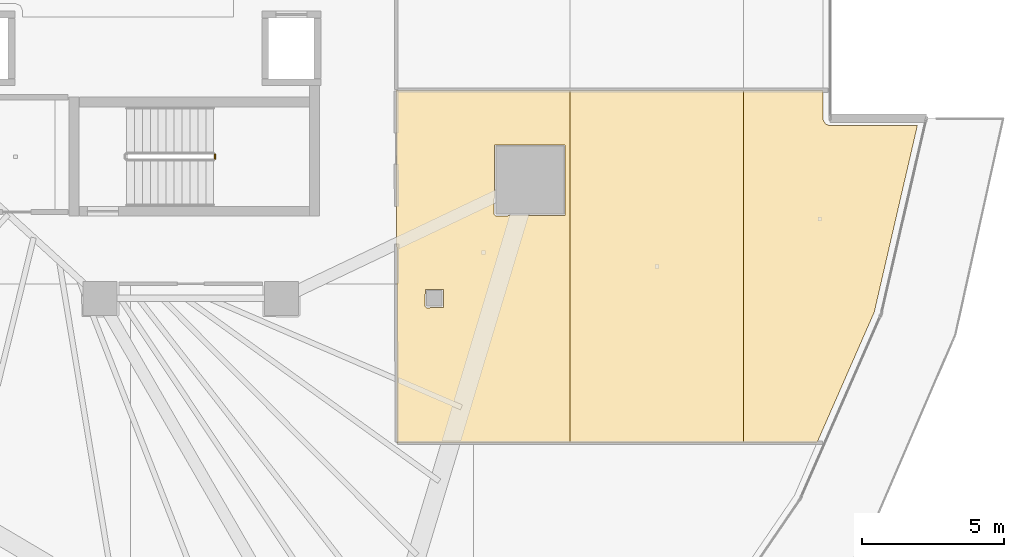
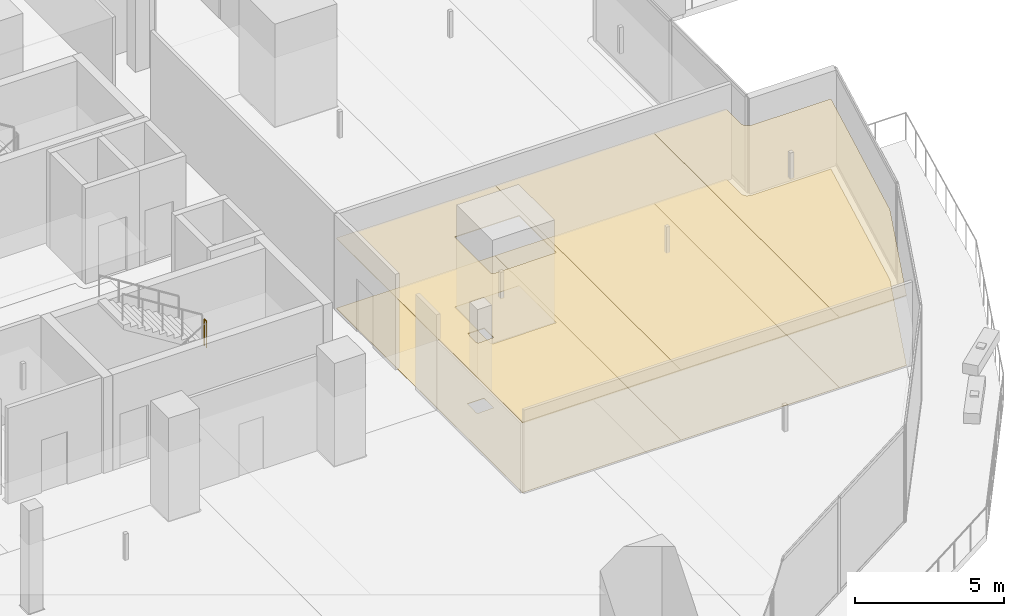
# One storey, part 42 of 45: 6 coverings, 1 railing.
"""IFC4 building model written with IfcOpenShell, lengths in metres."""

from ifc_helpers import new_model, si_unit, direction, frame, origin, origin_2d, place, context, subcontext, project, spatial, polyline, circle, outline, extrude, material, layer, layer_set, type_object, element, save


model = new_model("IFC4")

# Units and contexts
model_context = context("Model", 3, precision=1e-05, world=origin(), true_north=direction((0.0, 1.0)))
body_context = subcontext(model_context, "Body", "Model", "MODEL_VIEW")
ifc_project = project(units=[si_unit("LENGTHUNIT", "METRE"), si_unit("AREAUNIT", "SQUARE_METRE"), si_unit("VOLUMEUNIT", "CUBIC_METRE"), si_unit("PLANEANGLEUNIT", "RADIAN"), si_unit("MASSUNIT", "GRAM", prefix="KILO")], contexts=[model_context])

# Site, building, storey
site_placement = place(None, origin())
site = spatial("IfcSite", under=ifc_project, at=site_placement, CompositionType="ELEMENT")
building_placement = place(site_placement, origin())
building = spatial("IfcBuilding", under=site, at=building_placement, Name="Qorvath Tower", CompositionType="ELEMENT")
storey_placement = place(building_placement, frame((0.0, 0.0, 95.39990234375)))
storey = spatial("IfcBuildingStorey", under=building, at=storey_placement, Name="L21", CompositionType="ELEMENT", Elevation=95.39990234375)

# Coverings
ifc_material_1 = material(Name="Acoustic mineral fibre ceiling tile", Category="gypsum")
ifc_layer_1 = layer(ifc_material_1, 0.030029296875)
ifc_layer_set_1 = layer_set([ifc_layer_1], Name="COV-CEIL")
covering_type_1 = type_object("IfcCoveringType", Name="COV-CEIL", PredefinedType="CEILING", material=ifc_layer_set_1)
covering_1_placement = place(storey_placement, frame((0.0, 0.0, 2.85009765625)))
element("IfcCovering", 1, at=covering_1_placement, inside=storey, type_object=covering_type_1, Name="L21 Suspended Acoustic Ceiling 015", PredefinedType="CEILING", context=body_context, shape_type="SweptSolid", body=[
    extrude(outline(polyline([(-7.008056640625, -16.53466796875), (-7.008056640625, -4.10791015625), (-13.136962890625, -4.10791015625), (-13.11767578125, -16.533935546875), (-7.008056640625, -16.53466796875)]), holes=[polyline([(-9.690185546875, -8.476318359375), (-9.672607421875, -6.033935546875), (-7.18798828125, -6.033935546875), (-7.18798828125, -8.518798828125), (-9.63037109375, -8.536376953125), (-9.690185546875, -8.476318359375)]), polyline([(-12.135009765625, -11.72509765625), (-12.117431640625, -11.132568359375), (-11.482666015625, -11.132568359375), (-11.482666015625, -11.767333984375), (-12.074951171875, -11.784912109375), (-12.135009765625, -11.72509765625)])]), origin(), (0.0, 0.0, 1.0), 0.030029296875),
])
covering_2_placement = place(storey_placement, frame((0.0, 0.0, 2.85009765625)))
element("IfcCovering", 2, at=covering_2_placement, inside=storey, type_object=covering_type_1, Name="L21 Suspended Acoustic Ceiling 016", PredefinedType="CEILING", context=body_context, shape_type="SweptSolid", body=[
    extrude(outline(polyline([(-0.87890625, -16.53515625), (-0.87890625, -4.10791015625), (-7.008056640625, -4.10791015625), (-7.008056640625, -16.53466796875), (-0.87890625, -16.53515625)])), origin(), (0.0, 0.0, 1.0), 0.030029296875),
])
covering_3_placement = place(storey_placement, frame((0.0, 0.0, 2.85009765625)))
element("IfcCovering", 3, at=covering_3_placement, inside=storey, type_object=covering_type_1, Name="L21 Suspended Acoustic Ceiling 017", PredefinedType="CEILING", context=body_context, shape_type="SweptSolid", body=[
    extrude(outline(polyline([(2.009521484375, -5.29345703125), (1.922119140625, -5.146484375), (1.917236328125, -4.10791015625), (-0.87890625, -4.10791015625), (-0.87890625, -16.53515625), (1.713134765625, -16.535400390625), (3.72998046875, -11.934814453125), (5.25, -5.3525390625), (2.147705078125, -5.351318359375), (2.009521484375, -5.29345703125)])), origin(), (0.0, 0.0, 1.0), 0.030029296875),
])
ifc_material_2 = material(Name="Low-VOC modular carpet tile", Category="textile")
ifc_layer_2 = layer(ifc_material_2, 0.014892578125)
ifc_layer_set_2 = layer_set([ifc_layer_2], Name="COV-FLOOR-CPT")
covering_type_2 = type_object("IfcCoveringType", Name="COV-FLOOR-CPT", PredefinedType="FLOORING", material=ifc_layer_set_2)
covering_4_placement = place(storey_placement, origin())
element("IfcCovering", 4, at=covering_4_placement, inside=storey, type_object=covering_type_2, Name="L21 Floor Finish 015", PredefinedType="FLOORING", context=body_context, shape_type="SweptSolid", body=[
    extrude(outline(polyline([(-7.008056640625, -16.53466796875), (-7.008056640625, -4.10791015625), (-13.136962890625, -4.10791015625), (-13.11767578125, -16.533935546875), (-7.008056640625, -16.53466796875)]), holes=[polyline([(-9.690185546875, -8.476318359375), (-9.672607421875, -6.033935546875), (-7.18798828125, -6.033935546875), (-7.18798828125, -8.518798828125), (-9.63037109375, -8.536376953125), (-9.690185546875, -8.476318359375)]), polyline([(-12.135009765625, -11.72509765625), (-12.117431640625, -11.132568359375), (-11.482666015625, -11.132568359375), (-11.482666015625, -11.767333984375), (-12.074951171875, -11.784912109375), (-12.135009765625, -11.72509765625)])]), origin(), (0.0, 0.0, 1.0), 0.01513671875),
])
covering_5_placement = place(storey_placement, origin())
element("IfcCovering", 5, at=covering_5_placement, inside=storey, type_object=covering_type_2, Name="L21 Floor Finish 016", PredefinedType="FLOORING", context=body_context, shape_type="SweptSolid", body=[
    extrude(outline(polyline([(-0.87890625, -16.53515625), (-0.87890625, -4.10791015625), (-7.008056640625, -4.10791015625), (-7.008056640625, -16.53466796875), (-0.87890625, -16.53515625)])), origin(), (0.0, 0.0, 1.0), 0.01513671875),
])
covering_6_placement = place(storey_placement, origin())
element("IfcCovering", 6, at=covering_6_placement, inside=storey, type_object=covering_type_2, Name="L21 Floor Finish 017", PredefinedType="FLOORING", context=body_context, shape_type="SweptSolid", body=[
    extrude(outline(polyline([(2.009521484375, -5.29345703125), (1.922119140625, -5.146484375), (1.917236328125, -4.10791015625), (-0.87890625, -4.10791015625), (-0.87890625, -16.53515625), (1.713134765625, -16.535400390625), (3.72998046875, -11.934814453125), (5.25, -5.3525390625), (2.147705078125, -5.351318359375), (2.009521484375, -5.29345703125)])), origin(), (0.0, 0.0, 1.0), 0.01513671875),
])

# Railing
ifc_material_3 = material(Name="Painted galvanised steel", Category="steel")
railing_type = type_object("IfcRailingType", Name="RL-STR-GRD", PredefinedType="GUARDRAIL", material=ifc_material_3)
railing_placement = place(storey_placement, frame((-19.5400390625, -6.52001953125, 2.10009765625)))
element("IfcRailing", 7, at=railing_placement, inside=storey, type_object=railing_type, Name="L21 TS2 stair guard 2", PredefinedType="GUARDRAIL", context=body_context, shape_type="SweptSolid", body=[
    extrude(circle(Radius=0.02392578125, at=origin_2d()), frame((0.0, 0.0, 1.076171875), z_axis=(0.0, 1.0, 0.0), x_axis=(-1.0, 0.0, 0.0)), (0.0, 0.0, 1.0), 0.14990234375),
    extrude(circle(Radius=0.02099609375, at=origin_2d()), origin(), (0.0, 0.0, 1.0), 1.052001953125),
    extrude(circle(Radius=0.02099609375, at=origin_2d()), frame((0.0, 0.14990234375, 0.0)), (0.0, 0.0, 1.0), 1.052001953125),
])

save(model, "model.ifc")
